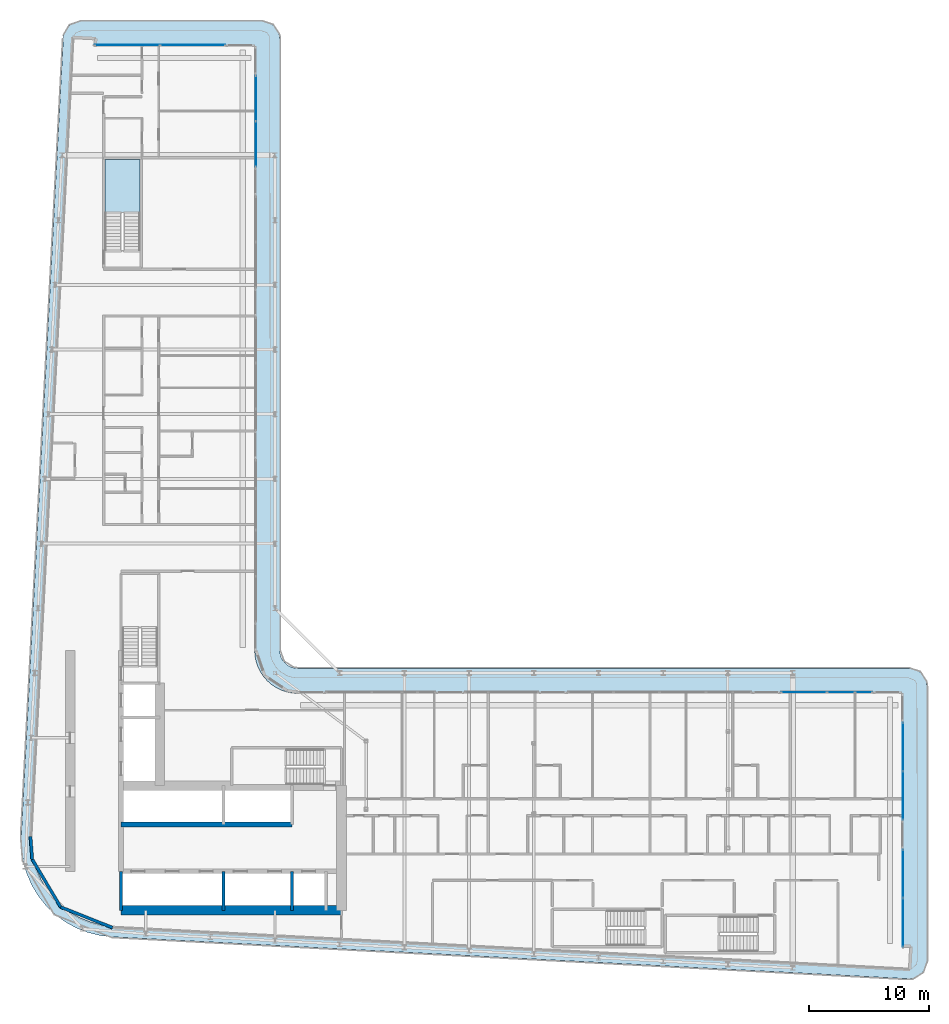
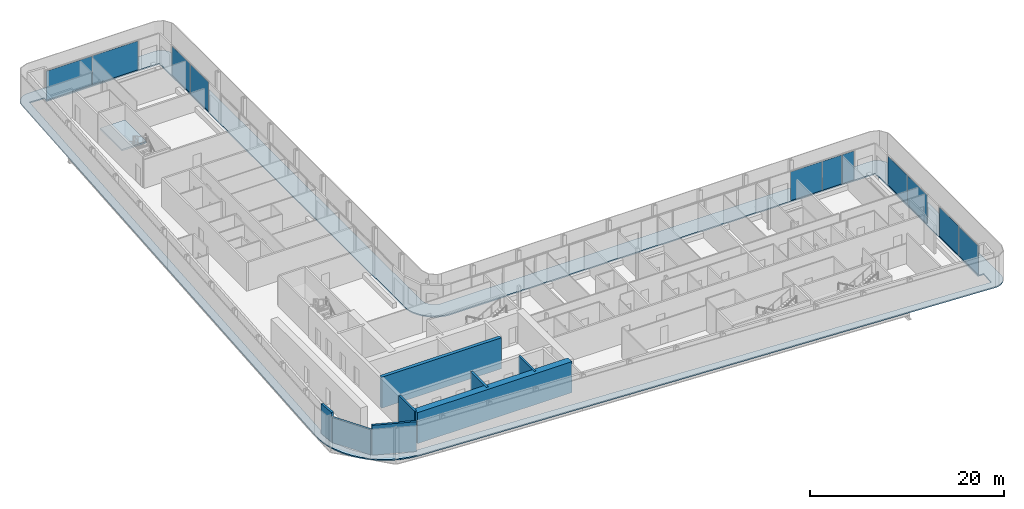
# One storey, part 13 of 29: 11 plates, 8 walls, 2 slabs, 6 elements without a shape of their own.
"""IFC4 building model written with IfcOpenShell, lengths in metres."""

import ifcopenshell
import ifcopenshell.guid

model = None  # the IFC model being written
_history = None  # IfcOwnerHistory: only IFC2X3 demands one
_inside = {}  # id of a spatial element -> (the spatial element, [elements in it])
_under = {}  # id of a project, library or spatial element -> (it, [spatial elements below it])
_declared = {}  # id of a project -> (the project, [libraries it declares])
_typed = {}  # id of a type object -> (the type object, [elements of that type])
_made_of = {}  # id of a material, layer set ... -> (it, [elements and type objects made of it])


def new_model(schema):
    """Start an empty IFC model of exactly this schema.

    Asked for "IFC4X3", IfcOpenShell would pick the latest addendum, in which some entities
    have other attributes; the version numbers below select the first issue.
    IFC2X3 requires an IfcOwnerHistory on every rooted entity: one is made here for all.
    """
    global model, _history
    if schema == "IFC4X3":
        model = ifcopenshell.file(schema_version=(4, 3, 0, 0))
    else:
        model = ifcopenshell.file(schema=schema)
    _inside.clear()
    _under.clear()
    _declared.clear()
    _typed.clear()
    _made_of.clear()
    _history = None
    if model.schema == "IFC2X3":
        org = make("IfcOrganization", Name="unknown")
        user = make(
            "IfcPersonAndOrganization",
            ThePerson=make("IfcPerson", FamilyName="unknown"),
            TheOrganization=org,
        )
        app = make(
            "IfcApplication",
            ApplicationDeveloper=org,
            Version="unknown",
            ApplicationFullName="unknown",
            ApplicationIdentifier="unknown",
        )
        _history = make(
            "IfcOwnerHistory",
            OwningUser=user,
            OwningApplication=app,
            ChangeAction="ADDED",
            CreationDate=0,
        )
    return model


def make(cls, **values):
    """One entity of the class cls with the attributes given. An attribute that is None is left unset."""
    return model.create_entity(
        cls, **{name: value for name, value in values.items() if value is not None}
    )


def rooted(cls, **values):
    """An entity with a GlobalId (a new one), such as an element, a storey or a relation."""
    return make(cls, GlobalId=ifcopenshell.guid.new(), OwnerHistory=_history, **values)


def si_unit(unit_type, name, prefix=None):
    """IfcSIUnit, for example si_unit("LENGTHUNIT", "METRE", prefix="MILLI")."""
    return make("IfcSIUnit", UnitType=unit_type, Prefix=prefix, Name=name)


def assignment(units):
    """IfcUnitAssignment: the units of a project."""
    return None if units is None else make("IfcUnitAssignment", Units=units)


def point(xyz):
    """IfcCartesianPoint."""
    return None if xyz is None else make("IfcCartesianPoint", Coordinates=xyz)


def direction(xyz):
    """IfcDirection."""
    return None if xyz is None else make("IfcDirection", DirectionRatios=xyz)


def frame(location, z_axis=None, x_axis=None):
    """IfcAxis2Placement3D, a coordinate frame: its origin and axes. An axis left out is left unset."""
    return make(
        "IfcAxis2Placement3D",
        Location=point(location),
        Axis=direction(z_axis),
        RefDirection=direction(x_axis),
    )


def frame_2d(location, x_axis=None):
    """IfcAxis2Placement2D, a coordinate frame in the plane: its origin and x axis."""
    return make(
        "IfcAxis2Placement2D", Location=point(location), RefDirection=direction(x_axis)
    )


def origin():
    """The frame at (0, 0, 0) with its axes left unset."""
    return frame((0.0, 0.0, 0.0))


def origin_2d():
    """The frame at (0, 0) in the plane with its x axis left unset."""
    return frame_2d((0.0, 0.0))


def place(relative_to, where):
    """IfcLocalPlacement: puts the frame where relative to a parent placement (None: the world)."""
    return make(
        "IfcLocalPlacement", PlacementRelTo=relative_to, RelativePlacement=where
    )


def context(
    kind, dimensions, precision=None, world=None, true_north=None, identifier=None
):
    """IfcGeometricRepresentationContext, for example the 3D "Model" context."""
    return make(
        "IfcGeometricRepresentationContext",
        ContextIdentifier=identifier,
        ContextType=kind,
        CoordinateSpaceDimension=dimensions,
        Precision=precision,
        WorldCoordinateSystem=world,
        TrueNorth=true_north,
    )


def subcontext(parent, identifier, kind, view, scale=None):
    """IfcGeometricRepresentationSubContext, for example "Body" below "Model"."""
    return make(
        "IfcGeometricRepresentationSubContext",
        ContextIdentifier=identifier,
        ContextType=kind,
        ParentContext=parent,
        TargetScale=scale,
        TargetView=view,
    )


def project(units=None, contexts=None):
    """IfcProject with its units and contexts."""
    return rooted(
        "IfcProject",
        Name="project",
        RepresentationContexts=contexts,
        UnitsInContext=assignment(units),
    )


def spatial(cls, under=None, at=None, **own):
    """A site, building, storey or space (cls), placed at a placement, below another one or the project."""
    s = rooted(cls, ObjectPlacement=at, **own)
    if under is not None:
        _under.setdefault(under.id(), (under, []))[1].append(s)
    return s


def polyline(points):
    """IfcPolyline through the points."""
    return make("IfcPolyline", Points=[point(p) for p in points])


def profile(cls, at=None, kind="AREA", **sizes):
    """A parametric profile (cls). Its sizes go by their IFC names, for example OverallWidth=200.0."""
    return make(cls, ProfileType=kind, Position=at, **sizes)


def rectangle(**sizes):
    """IfcRectangleProfileDef."""
    return profile("IfcRectangleProfileDef", **sizes)


def outline(outer, holes=None, kind="AREA"):
    """IfcArbitraryClosedProfileDef: a profile drawn as a closed curve; with holes, ...WithVoids."""
    if holes is None:
        return make("IfcArbitraryClosedProfileDef", ProfileType=kind, OuterCurve=outer)
    return make(
        "IfcArbitraryProfileDefWithVoids",
        ProfileType=kind,
        OuterCurve=outer,
        InnerCurves=holes,
    )


def extrude(swept, where, along, depth):
    """IfcExtrudedAreaSolid: the profile swept, set in the frame where, extruded along a direction by depth."""
    return make(
        "IfcExtrudedAreaSolid",
        SweptArea=swept,
        Position=where,
        ExtrudedDirection=direction(along),
        Depth=depth,
    )


def shape(context_of_items, identifier, shape_type, items):
    """IfcShapeRepresentation: the items that make up one representation, for example the "Body"."""
    return make(
        "IfcShapeRepresentation",
        ContextOfItems=context_of_items,
        RepresentationIdentifier=identifier,
        RepresentationType=shape_type,
        Items=items,
    )


def material(Name=None, Category=None):
    """IfcMaterial."""
    return make("IfcMaterial", Name=Name, Category=Category)


def layer(
    of_material, thickness, ventilated=None, Name=None, Category=None, Priority=None
):
    """IfcMaterialLayer: one layer of a wall or slab, of a material (None: an air gap)."""
    return make(
        "IfcMaterialLayer",
        Material=of_material,
        LayerThickness=thickness,
        IsVentilated=ventilated,
        Name=Name,
        Category=Category,
        Priority=Priority,
    )


def layer_set(layers, Name=None):
    """IfcMaterialLayerSet."""
    return make("IfcMaterialLayerSet", MaterialLayers=layers, LayerSetName=Name)


def made_of(thing, what):
    """Note that an element or type object is made of a material, layer set ...; save() writes the relation."""
    if what is not None:
        _made_of.setdefault(what.id(), (what, []))[1].append(thing)
    return thing


def type_object(cls, material=None, **own):
    """A type object (cls), such as IfcWallType, which elements share."""
    return made_of(rooted(cls, **own), material)


def element(
    cls,
    number,
    at=None,
    inside=None,
    cuts=None,
    type_object=None,
    material=None,
    context=None,
    identifier="Body",
    shape_type=None,
    held_by="IfcProductDefinitionShape",
    body=None,
    shapes=None,
    **own,
):
    """One element of the class cls, such as IfcWall. Its Tag is "e" and its number.

    at: its placement. inside: the storey or other place that contains it. cuts: it is an
    opening in that element (IfcRelVoidsElement). A single representation is given by context,
    identifier, shape_type and body (its items); several are given by shapes. held_by: the class
    of the entity that holds the representations. save() writes the other relations.
    """
    e = rooted(cls, Tag="e%d" % number, ObjectPlacement=at, **own)
    if body is not None:
        shapes = [shape(context, identifier, shape_type, body)]
    if shapes is not None:
        e.Representation = make(held_by, Representations=shapes)
    if inside is not None:
        _inside.setdefault(inside.id(), (inside, []))[1].append(e)
    if cuts is not None:
        rooted(
            "IfcRelVoidsElement", RelatingBuildingElement=cuts, RelatedOpeningElement=e
        )
    if type_object is not None:
        _typed.setdefault(type_object.id(), (type_object, []))[1].append(e)
    return made_of(e, material)


def aggregate(whole, parts):
    """IfcRelAggregates: a whole, such as a stair, and the parts it consists of."""
    return rooted("IfcRelAggregates", RelatingObject=whole, RelatedObjects=parts)


def save(model, path):
    """Write the relations noted so far, then the file.

    IfcRelAggregates (storeys below a building ...), IfcRelContainedInSpatialStructure (elements
    in a storey), IfcRelDefinesByType, IfcRelAssociatesMaterial and IfcRelDeclares: one each for
    every whole, place, type object, material and project.
    """
    for whole, parts in _under.values():
        aggregate(whole, parts)
    for where, things in _inside.values():
        rooted(
            "IfcRelContainedInSpatialStructure",
            RelatedElements=things,
            RelatingStructure=where,
        )
    for kind, things in _typed.values():
        rooted("IfcRelDefinesByType", RelatedObjects=things, RelatingType=kind)
    for what, things in _made_of.values():
        rooted("IfcRelAssociatesMaterial", RelatedObjects=things, RelatingMaterial=what)
    for by, libraries in _declared.values():
        rooted("IfcRelDeclares", RelatingContext=by, RelatedDefinitions=libraries)
    model.write(path)


model = new_model("IFC4")

# Units and contexts
model_context = context("Model", 3, precision=1e-05, world=origin(), true_north=direction((0.0, 1.0)))
body_context = subcontext(model_context, "Body", "Model", "MODEL_VIEW")
ifc_project = project(units=[si_unit("LENGTHUNIT", "METRE"), si_unit("AREAUNIT", "SQUARE_METRE"), si_unit("VOLUMEUNIT", "CUBIC_METRE"), si_unit("PLANEANGLEUNIT", "RADIAN"), si_unit("MASSUNIT", "GRAM", prefix="KILO")], contexts=[model_context])

# Site, building, storey
site_placement = place(None, origin())
site = spatial("IfcSite", under=ifc_project, at=site_placement, CompositionType="ELEMENT")
building_placement = place(site_placement, origin())
building = spatial("IfcBuilding", under=site, at=building_placement, Name="Kheshtan School and Residences Tower", CompositionType="ELEMENT")
storey_placement = place(building_placement, frame((0.0, 0.0, 183.800048828125)))
storey = spatial("IfcBuildingStorey", under=building, at=storey_placement, Name="L43", CompositionType="ELEMENT", Elevation=183.800048828125)

# Curtain wall, plates
ifc_material_1 = material(Name="Clear low-e glass in thermally broken aluminium frame", Category="aluminium")
ifc_layer_1 = layer(ifc_material_1, 0.199951171875)
ifc_layer_set_1 = layer_set([ifc_layer_1], Name="Curtain wall CW-L")
curtain_wall_type = type_object("IfcCurtainWallType", Name="Curtain wall CW-L", PredefinedType="NOTDEFINED", material=ifc_layer_set_1)
curtain_wall_1_placement = place(storey_placement, origin())
curtain_wall_1 = element("IfcCurtainWall", 1, at=curtain_wall_1_placement, inside=storey, type_object=curtain_wall_type, Name="Curtain wall CWL7", PredefinedType="NOTDEFINED")
ifc_layer_2 = layer(ifc_material_1, 0.031982421875)
ifc_layer_set_2 = layer_set([ifc_layer_2], Name="CW-L glass panel")
plate_type = type_object("IfcPlateType", Name="CW-L glass panel", PredefinedType="CURTAIN_PANEL", material=ifc_layer_set_2)
plate_1_placement = place(storey_placement, frame((35.259033203125, 98.0, 0.0), z_axis=(0.0, 0.0, 1.0), x_axis=(1.0, 0.0, 0.0)))
plate_1 = element("IfcPlate", 2, at=plate_1_placement, type_object=plate_type, Name="CWL7 panel 1.1", PredefinedType="CURTAIN_PANEL", context=body_context, shape_type="SweptSolid", body=[
    extrude(rectangle(XDim=5.4140625, YDim=0.031982421875, at=origin_2d()), origin(), (0.0, 0.0, 1.0), 3.6298828125),
])
plate_2_placement = place(storey_placement, frame((40.73291015625, 98.0, 0.0), z_axis=(0.0, 0.0, 1.0), x_axis=(1.0, 0.0, 0.0)))
plate_2 = element("IfcPlate", 3, at=plate_2_placement, type_object=plate_type, Name="CWL7 panel 2.1", PredefinedType="CURTAIN_PANEL", context=body_context, shape_type="SweptSolid", body=[
    extrude(rectangle(XDim=5.4140625, YDim=0.031982421875, at=origin_2d()), origin(), (0.0, 0.0, 1.0), 3.6298828125),
])
aggregate(curtain_wall_1, [plate_1, plate_2])

curtain_wall_2_placement = place(storey_placement, origin())
curtain_wall_2 = element("IfcCurtainWall", 4, at=curtain_wall_2_placement, inside=storey, type_object=curtain_wall_type, Name="Curtain wall CWL8", PredefinedType="NOTDEFINED")
plate_3_placement = place(storey_placement, frame((46.0, 93.5615234375, 0.0), z_axis=(0.0, 0.0, 1.0), x_axis=(0.0, -1.0, 0.0)))
plate_3 = element("IfcPlate", 5, at=plate_3_placement, type_object=plate_type, Name="CWL8 panel 1.1", PredefinedType="CURTAIN_PANEL", context=body_context, shape_type="SweptSolid", body=[
    extrude(rectangle(XDim=3.757080078125, YDim=0.031982421875, at=origin_2d()), origin(), (0.0, 0.0, 1.0), 3.6298828125),
])
plate_4_placement = place(storey_placement, frame((46.0, 89.744384765625, 0.0), z_axis=(0.0, 0.0, 1.0), x_axis=(0.0, -1.0, 0.0)))
plate_4 = element("IfcPlate", 6, at=plate_4_placement, type_object=plate_type, Name="CWL8 panel 2.1", PredefinedType="CURTAIN_PANEL", context=body_context, shape_type="SweptSolid", body=[
    extrude(rectangle(XDim=3.757080078125, YDim=0.031982421875, at=origin_2d()), origin(), (0.0, 0.0, 1.0), 3.6298828125),
])
aggregate(curtain_wall_2, [plate_3, plate_4])

curtain_wall_3_placement = place(storey_placement, origin())
curtain_wall_3 = element("IfcCurtainWall", 7, at=curtain_wall_3_placement, inside=storey, type_object=curtain_wall_type, Name="Curtain wall CWL12k", PredefinedType="NOTDEFINED")
plate_5_placement = place(storey_placement, frame((91.744384765625, 44.0, 0.0), z_axis=(0.0, 0.0, 1.0), x_axis=(1.0, 0.0, 0.0)))
plate_5 = element("IfcPlate", 8, at=plate_5_placement, type_object=plate_type, Name="CWL12k panel 1.1", PredefinedType="CURTAIN_PANEL", context=body_context, shape_type="SweptSolid", body=[
    extrude(rectangle(XDim=3.757080078125, YDim=0.031982421875, at=origin_2d()), origin(), (0.0, 0.0, 1.0), 3.6298828125),
])
plate_6_placement = place(storey_placement, frame((94.826416015625, 44.0, 0.0), z_axis=(0.0, 0.0, 1.0), x_axis=(1.0, 0.0, 0.0)))
plate_6 = element("IfcPlate", 9, at=plate_6_placement, type_object=plate_type, Name="CWL12k panel 2.1", PredefinedType="CURTAIN_PANEL", context=body_context, shape_type="SweptSolid", body=[
    extrude(rectangle(XDim=2.287109375, YDim=0.031982421875, at=origin_2d()), origin(), (0.0, 0.0, 1.0), 3.6298828125),
])
plate_7_placement = place(storey_placement, frame((96.735107421875, 44.0, 0.0), z_axis=(0.0, 0.0, 1.0), x_axis=(1.0, 0.0, 0.0)))
plate_7 = element("IfcPlate", 10, at=plate_7_placement, type_object=plate_type, Name="CWL12k panel 3.1", PredefinedType="CURTAIN_PANEL", context=body_context, shape_type="SweptSolid", body=[
    extrude(rectangle(XDim=1.409912109375, YDim=0.031982421875, at=origin_2d()), origin(), (0.0, 0.0, 1.0), 3.6298828125),
])
aggregate(curtain_wall_3, [plate_5, plate_6, plate_7])

curtain_wall_4_placement = place(storey_placement, origin())
curtain_wall_4 = element("IfcCurtainWall", 11, at=curtain_wall_4_placement, inside=storey, type_object=curtain_wall_type, Name="Curtain wall CWL13b", PredefinedType="NOTDEFINED")
plate_8_placement = place(storey_placement, frame((100.0, 39.436767578125, 0.0), z_axis=(0.0, 0.0, 1.0), x_axis=(0.0, -1.0, 0.0)))
plate_8 = element("IfcPlate", 12, at=plate_8_placement, type_object=plate_type, Name="CWL13b panel 1.1", PredefinedType="CURTAIN_PANEL", context=body_context, shape_type="SweptSolid", body=[
    extrude(rectangle(XDim=4.006591796875, YDim=0.031982421875, at=origin_2d()), origin(), (0.0, 0.0, 1.0), 3.6298828125),
])
plate_9_placement = place(storey_placement, frame((100.0, 35.370361328125, 0.0), z_axis=(0.0, 0.0, 1.0), x_axis=(0.0, -1.0, 0.0)))
plate_9 = element("IfcPlate", 13, at=plate_9_placement, type_object=plate_type, Name="CWL13b panel 2.1", PredefinedType="CURTAIN_PANEL", context=body_context, shape_type="SweptSolid", body=[
    extrude(rectangle(XDim=4.006591796875, YDim=0.031982421875, at=origin_2d()), origin(), (0.0, 0.0, 1.0), 3.6298828125),
])
aggregate(curtain_wall_4, [plate_8, plate_9])

curtain_wall_5_placement = place(storey_placement, origin())
curtain_wall_5 = element("IfcCurtainWall", 14, at=curtain_wall_5_placement, inside=storey, type_object=curtain_wall_type, Name="Curtain wall CWL13b", PredefinedType="NOTDEFINED")
plate_10_placement = place(storey_placement, frame((100.0, 28.84375, 0.0), z_axis=(0.0, 0.0, 1.0), x_axis=(0.0, -1.0, 0.0)))
plate_10 = element("IfcPlate", 15, at=plate_10_placement, type_object=plate_type, Name="CWL13b panel 1.1", PredefinedType="CURTAIN_PANEL", context=body_context, shape_type="SweptSolid", body=[
    extrude(rectangle(XDim=4.006591796875, YDim=0.031982421875, at=origin_2d()), origin(), (0.0, 0.0, 1.0), 3.6298828125),
])
plate_11_placement = place(storey_placement, frame((100.0, 24.77734375, 0.0), z_axis=(0.0, 0.0, 1.0), x_axis=(0.0, -1.0, 0.0)))
plate_11 = element("IfcPlate", 16, at=plate_11_placement, type_object=plate_type, Name="CWL13b panel 2.1", PredefinedType="CURTAIN_PANEL", context=body_context, shape_type="SweptSolid", body=[
    extrude(rectangle(XDim=4.006591796875, YDim=0.031982421875, at=origin_2d()), origin(), (0.0, 0.0, 1.0), 3.6298828125),
])
aggregate(curtain_wall_5, [plate_10, plate_11])

# Slab
ifc_material_2 = material(Name="Concrete C40/50", Category="concrete")
ifc_layer_3 = layer(ifc_material_2, 0.14990234375)
ifc_layer_set_3 = layer_set([ifc_layer_3], Name="Loggia balcony slab 150 Concrete C40/50")
slab_type_1 = type_object("IfcSlabType", Name="Loggia balcony slab 150 Concrete C40/50", PredefinedType="FLOOR", material=ifc_layer_set_3)
slab_1_placement = place(storey_placement, frame((0.0, 0.0, -0.150146484375)))
element("IfcSlab", 17, at=slab_1_placement, inside=storey, type_object=slab_type_1, Name="Loggia balcony slab L43", PredefinedType="FLOOR", context=body_context, shape_type="SweptSolid", body=[
    extrude(outline(polyline([(28.4580078125, 26.222900390625), (28.45703125, 26.222900390625), (28.45703125, 26.22412109375), (28.4560546875, 26.22412109375), (27.81494140625, 27.0390625), (27.281005859375, 27.93798828125), (26.867919921875, 28.89990234375), (26.583984375, 29.89990234375), (26.583984375, 29.906982421875), (26.43408203125, 30.943115234375), (26.419921875, 31.989013671875), (29.925048828125, 98.5791015625), (29.930908203125, 98.626953125), (29.930908203125, 98.6279296875), (29.929931640625, 98.6279296875), (29.929931640625, 98.62890625), (29.928955078125, 98.62890625), (29.928955078125, 98.6298828125), (29.927978515625, 98.6298828125), (29.927978515625, 98.631103515625), (29.927001953125, 98.631103515625), (29.927001953125, 98.632080078125), (29.927001953125, 98.633056640625), (29.945068359375, 98.781005859375), (29.945068359375, 98.783935546875), (29.945068359375, 98.784912109375), (29.946044921875, 98.784912109375), (29.946044921875, 98.785888671875), (29.947021484375, 98.785888671875), (29.947021484375, 98.787109375), (29.947998046875, 98.787109375), (29.948974609375, 98.787109375), (29.948974609375, 98.7880859375), (29.949951171875, 98.7880859375), (29.949951171875, 98.7890625), (29.949951171875, 98.791015625), (30.0029296875, 98.98388671875), (30.083984375, 99.175048828125), (30.18896484375, 99.35302734375), (30.31103515625, 99.507080078125), (30.31201171875, 99.507080078125), (30.31201171875, 99.508056640625), (30.31298828125, 99.508056640625), (30.31298828125, 99.509033203125), (30.31396484375, 99.509033203125), (30.31396484375, 99.510009765625), (30.31494140625, 99.510009765625), (30.31494140625, 99.510986328125), (30.31591796875, 99.510986328125), (30.31591796875, 99.511962890625), (30.31689453125, 99.511962890625), (30.31689453125, 99.512939453125), (30.318115234375, 99.512939453125), (30.320068359375, 99.512939453125), (30.321044921875, 99.512939453125), (30.321044921875, 99.513916015625), (30.468017578125, 99.656982421875), (30.468994140625, 99.656982421875), (30.468994140625, 99.657958984375), (30.469970703125, 99.657958984375), (30.469970703125, 99.658935546875), (30.470947265625, 99.658935546875), (30.470947265625, 99.659912109375), (30.471923828125, 99.659912109375), (30.471923828125, 99.660888671875), (30.472900390625, 99.660888671875), (30.472900390625, 99.662109375), (30.47412109375, 99.662109375), (30.47412109375, 99.6630859375), (30.47509765625, 99.6630859375), (30.47509765625, 99.6640625), (30.635986328125, 99.777099609375), (30.820068359375, 99.873046875), (31.007080078125, 99.943115234375), (31.013916015625, 99.943115234375), (31.217041015625, 99.986083984375), (31.423095703125, 100.0), (46.5, 100.0), (46.696044921875, 99.987060546875), (46.887939453125, 99.948974609375), (46.89501953125, 99.948974609375), (47.073974609375, 99.885986328125), (47.243896484375, 99.801025390625), (47.2451171875, 99.801025390625), (47.2470703125, 99.801025390625), (47.248046875, 99.801025390625), (47.248046875, 99.802001953125), (47.2490234375, 99.802001953125), (47.2490234375, 99.802978515625), (47.25, 99.802978515625), (47.2529296875, 99.802978515625), (47.25390625, 99.802978515625), (47.25390625, 99.802001953125), (47.2548828125, 99.802001953125), (47.2548828125, 99.801025390625), (47.256103515625, 99.801025390625), (47.256103515625, 99.800048828125), (47.257080078125, 99.800048828125), (47.257080078125, 99.799072265625), (47.258056640625, 99.799072265625), (47.258056640625, 99.798095703125), (47.412109375, 99.696044921875), (47.4130859375, 99.696044921875), (47.4130859375, 99.695068359375), (47.4140625, 99.695068359375), (47.4140625, 99.694091796875), (47.4140625, 99.68994140625), (47.4140625, 99.68896484375), (47.4150390625, 99.68896484375), (47.4150390625, 99.68798828125), (47.416015625, 99.68798828125), (47.416015625, 99.68701171875), (47.4169921875, 99.68701171875), (47.4169921875, 99.68603515625), (47.554931640625, 99.568115234375), (47.554931640625, 99.56689453125), (47.555908203125, 99.56689453125), (47.555908203125, 99.56591796875), (47.556884765625, 99.56591796875), (47.556884765625, 99.56494140625), (47.55810546875, 99.56494140625), (47.55810546875, 99.56396484375), (47.55908203125, 99.56396484375), (47.55908203125, 99.56298828125), (47.56005859375, 99.56298828125), (47.56005859375, 99.56201171875), (47.56103515625, 99.56201171875), (47.56201171875, 99.56103515625), (47.56201171875, 99.56005859375), (47.56298828125, 99.56005859375), (47.56298828125, 99.55908203125), (47.56396484375, 99.55908203125), (47.56396484375, 99.55810546875), (47.56494140625, 99.55810546875), (47.56494140625, 99.556884765625), (47.56591796875, 99.556884765625), (47.56591796875, 99.555908203125), (47.56689453125, 99.555908203125), (47.56689453125, 99.554931640625), (47.568115234375, 99.554931640625), (47.68505859375, 99.41796875), (47.68603515625, 99.41796875), (47.68603515625, 99.4169921875), (47.68701171875, 99.4169921875), (47.68701171875, 99.416015625), (47.68798828125, 99.416015625), (47.68798828125, 99.4150390625), (47.68896484375, 99.4150390625), (47.68896484375, 99.4140625), (47.68994140625, 99.4140625), (47.694091796875, 99.4140625), (47.695068359375, 99.4140625), (47.695068359375, 99.4130859375), (47.696044921875, 99.4130859375), (47.696044921875, 99.412109375), (47.797119140625, 99.259033203125), (47.798095703125, 99.259033203125), (47.798095703125, 99.258056640625), (47.799072265625, 99.258056640625), (47.799072265625, 99.257080078125), (47.800048828125, 99.257080078125), (47.800048828125, 99.256103515625), (47.801025390625, 99.256103515625), (47.801025390625, 99.2548828125), (47.802001953125, 99.2548828125), (47.802001953125, 99.25390625), (47.802978515625, 99.25390625), (47.802978515625, 99.2529296875), (47.802978515625, 99.25), (47.802978515625, 99.2490234375), (47.802001953125, 99.2490234375), (47.802001953125, 99.248046875), (47.801025390625, 99.248046875), (47.801025390625, 99.2470703125), (47.801025390625, 99.243896484375), (47.801025390625, 99.242919921875), (47.885986328125, 99.073974609375), (47.948974609375, 98.89501953125), (47.948974609375, 98.887939453125), (47.987060546875, 98.696044921875), (48.0, 98.5), (48.0, 47.5), (48.012939453125, 47.303955078125), (48.051025390625, 47.113037109375), (48.051025390625, 47.10693359375), (48.051025390625, 47.10595703125), (48.114013671875, 46.926025390625), (48.200927734375, 46.75), (48.31005859375, 46.5869140625), (48.431884765625, 46.444091796875), (48.43310546875, 46.444091796875), (48.43310546875, 46.443115234375), (48.43408203125, 46.443115234375), (48.43408203125, 46.44189453125), (48.43505859375, 46.44189453125), (48.43505859375, 46.44091796875), (48.43603515625, 46.44091796875), (48.43603515625, 46.43994140625), (48.43701171875, 46.43994140625), (48.43701171875, 46.43896484375), (48.43798828125, 46.43896484375), (48.43896484375, 46.43798828125), (48.43896484375, 46.43701171875), (48.43994140625, 46.43701171875), (48.43994140625, 46.43603515625), (48.44091796875, 46.43603515625), (48.44091796875, 46.43505859375), (48.44189453125, 46.43505859375), (48.44189453125, 46.43408203125), (48.443115234375, 46.43408203125), (48.443115234375, 46.43310546875), (48.444091796875, 46.43310546875), (48.444091796875, 46.431884765625), (48.5869140625, 46.31005859375), (48.75, 46.200927734375), (48.926025390625, 46.114013671875), (49.10595703125, 46.051025390625), (49.10693359375, 46.051025390625), (49.113037109375, 46.051025390625), (49.303955078125, 46.012939453125), (49.5, 46.0), (100.5, 46.0), (100.696044921875, 45.987060546875), (100.887939453125, 45.948974609375), (100.89501953125, 45.948974609375), (101.073974609375, 45.885986328125), (101.241943359375, 45.801025390625), (101.242919921875, 45.801025390625), (101.2470703125, 45.801025390625), (101.248046875, 45.801025390625), (101.248046875, 45.802001953125), (101.2490234375, 45.802001953125), (101.2490234375, 45.802978515625), (101.25, 45.802978515625), (101.2529296875, 45.802978515625), (101.25390625, 45.802978515625), (101.25390625, 45.802001953125), (101.2548828125, 45.802001953125), (101.2548828125, 45.801025390625), (101.256103515625, 45.801025390625), (101.256103515625, 45.800048828125), (101.257080078125, 45.800048828125), (101.257080078125, 45.799072265625), (101.258056640625, 45.799072265625), (101.258056640625, 45.798095703125), (101.259033203125, 45.798095703125), (101.259033203125, 45.797119140625), (101.260009765625, 45.797119140625), (101.260009765625, 45.7958984375), (101.412109375, 45.696044921875), (101.4130859375, 45.696044921875), (101.4130859375, 45.695068359375), (101.4140625, 45.695068359375), (101.4140625, 45.694091796875), (101.4140625, 45.68994140625), (101.4140625, 45.68896484375), (101.4150390625, 45.68896484375), (101.4150390625, 45.68798828125), (101.416015625, 45.68798828125), (101.416015625, 45.68701171875), (101.4169921875, 45.68701171875), (101.4169921875, 45.68603515625), (101.41796875, 45.68603515625), (101.41796875, 45.68505859375), (101.4189453125, 45.68505859375), (101.4189453125, 45.68408203125), (101.554931640625, 45.568115234375), (101.554931640625, 45.56689453125), (101.555908203125, 45.56689453125), (101.555908203125, 45.56591796875), (101.556884765625, 45.56591796875), (101.556884765625, 45.56494140625), (101.55810546875, 45.56494140625), (101.55810546875, 45.56396484375), (101.55908203125, 45.56396484375), (101.55908203125, 45.56298828125), (101.56005859375, 45.56298828125), (101.56005859375, 45.56201171875), (101.56103515625, 45.56201171875), (101.56201171875, 45.56103515625), (101.56201171875, 45.56005859375), (101.56298828125, 45.56005859375), (101.56298828125, 45.55908203125), (101.56396484375, 45.55908203125), (101.56396484375, 45.55810546875), (101.56494140625, 45.55810546875), (101.56494140625, 45.556884765625), (101.56591796875, 45.556884765625), (101.56591796875, 45.555908203125), (101.56689453125, 45.555908203125), (101.56689453125, 45.554931640625), (101.568115234375, 45.554931640625), (101.681884765625, 45.4208984375), (101.68310546875, 45.4208984375), (101.68310546875, 45.419921875), (101.68408203125, 45.419921875), (101.68408203125, 45.4189453125), (101.68505859375, 45.4189453125), (101.68505859375, 45.41796875), (101.68603515625, 45.41796875), (101.68603515625, 45.4169921875), (101.68701171875, 45.4169921875), (101.68701171875, 45.416015625), (101.68798828125, 45.416015625), (101.68798828125, 45.4150390625), (101.68896484375, 45.4150390625), (101.68896484375, 45.4140625), (101.68994140625, 45.4140625), (101.694091796875, 45.4140625), (101.695068359375, 45.4140625), (101.695068359375, 45.4130859375), (101.696044921875, 45.4130859375), (101.696044921875, 45.412109375), (101.7939453125, 45.261962890625), (101.794921875, 45.261962890625), (101.794921875, 45.260986328125), (101.7958984375, 45.260986328125), (101.7958984375, 45.260009765625), (101.797119140625, 45.260009765625), (101.797119140625, 45.259033203125), (101.798095703125, 45.259033203125), (101.798095703125, 45.258056640625), (101.799072265625, 45.258056640625), (101.799072265625, 45.257080078125), (101.800048828125, 45.257080078125), (101.800048828125, 45.256103515625), (101.801025390625, 45.256103515625), (101.801025390625, 45.2548828125), (101.802001953125, 45.2548828125), (101.802001953125, 45.25390625), (101.802978515625, 45.25390625), (101.802978515625, 45.2529296875), (101.802978515625, 45.25), (101.802978515625, 45.2490234375), (101.802001953125, 45.2490234375), (101.802001953125, 45.248046875), (101.801025390625, 45.248046875), (101.801025390625, 45.2470703125), (101.801025390625, 45.240966796875), (101.801025390625, 45.239990234375), (101.885986328125, 45.073974609375), (101.948974609375, 44.89501953125), (101.948974609375, 44.887939453125), (101.987060546875, 44.696044921875), (102.0, 44.5), (102.0, 21.5810546875), (101.986083984375, 21.37890625), (101.945068359375, 21.179931640625), (101.945068359375, 21.173095703125), (101.8779296875, 20.989013671875), (101.785888671875, 20.80810546875), (101.6708984375, 20.64306640625), (101.6708984375, 20.64208984375), (101.6708984375, 20.64111328125), (101.6708984375, 20.639892578125), (101.672119140625, 20.639892578125), (101.672119140625, 20.638916015625), (101.672119140625, 20.636962890625), (101.672119140625, 20.635986328125), (101.6708984375, 20.635986328125), (101.6708984375, 20.635009765625), (101.5380859375, 20.491943359375), (101.534912109375, 20.489013671875), (101.533935546875, 20.489013671875), (101.533935546875, 20.488037109375), (101.532958984375, 20.488037109375), (101.531005859375, 20.488037109375), (101.530029296875, 20.488037109375), (101.530029296875, 20.489013671875), (101.529052734375, 20.489013671875), (101.528076171875, 20.489013671875), (101.527099609375, 20.489013671875), (101.3759765625, 20.364013671875), (101.2041015625, 20.256103515625), (101.01904296875, 20.174072265625), (100.8310546875, 20.116943359375), (100.823974609375, 20.116943359375), (100.6240234375, 20.0859375), (100.4208984375, 20.0830078125), (33.989013671875, 23.580078125), (33.94189453125, 23.5859375), (33.94091796875, 23.5859375), (33.93994140625, 23.5859375), (33.93994140625, 23.5849609375), (33.93896484375, 23.5849609375), (33.93896484375, 23.583984375), (33.93798828125, 23.583984375), (33.93798828125, 23.5830078125), (33.93701171875, 23.5830078125), (33.93701171875, 23.58203125), (33.93603515625, 23.58203125), (33.93505859375, 23.58203125), (32.952880859375, 23.697998046875), (32.949951171875, 23.697998046875), (32.948974609375, 23.697998046875), (32.948974609375, 23.698974609375), (32.947998046875, 23.698974609375), (32.947998046875, 23.699951171875), (32.947021484375, 23.699951171875), (32.947021484375, 23.700927734375), (32.947021484375, 23.702880859375), (32.947021484375, 23.7041015625), (32.946044921875, 23.7041015625), (32.946044921875, 23.705078125), (32.945068359375, 23.705078125), (32.944091796875, 23.705078125), (31.93603515625, 23.9609375), (31.928955078125, 23.9609375), (30.964111328125, 24.34912109375), (30.051025390625, 24.860107421875), (29.218994140625, 25.47900390625), (29.218994140625, 25.47998046875), (29.218017578125, 25.47998046875), (29.218017578125, 25.48095703125), (29.217041015625, 25.48095703125), (29.217041015625, 25.48193359375), (29.216064453125, 25.48193359375), (29.216064453125, 25.48291015625), (29.215087890625, 25.48291015625), (29.215087890625, 25.48388671875), (29.214111328125, 25.48388671875), (29.214111328125, 25.485107421875), (29.212890625, 25.485107421875), (29.212890625, 25.486083984375), (29.2119140625, 25.486083984375), (28.466064453125, 26.217041015625), (28.466064453125, 26.218017578125), (28.465087890625, 26.218017578125), (28.462890625, 26.218017578125), (28.4619140625, 26.218017578125), (28.4619140625, 26.218994140625), (28.4609375, 26.218994140625), (28.4609375, 26.219970703125), (28.4599609375, 26.219970703125), (28.4599609375, 26.220947265625), (28.458984375, 26.220947265625), (28.458984375, 26.221923828125), (28.4580078125, 26.221923828125), (28.4580078125, 26.222900390625)]), holes=[polyline([(29.12890625, 26.824951171875), (29.12890625, 26.823974609375), (29.1298828125, 26.823974609375), (29.1298828125, 26.822998046875), (29.131103515625, 26.822998046875), (29.131103515625, 26.822021484375), (29.132080078125, 26.822021484375), (29.132080078125, 26.821044921875), (29.133056640625, 26.821044921875), (29.133056640625, 26.820068359375), (29.134033203125, 26.820068359375), (29.7958984375, 26.173095703125), (29.7958984375, 26.172119140625), (29.797119140625, 26.172119140625), (29.798095703125, 26.172119140625), (29.799072265625, 26.172119140625), (29.799072265625, 26.1708984375), (29.800048828125, 26.1708984375), (29.800048828125, 26.169921875), (29.801025390625, 26.169921875), (29.801025390625, 26.1689453125), (29.802001953125, 26.1689453125), (29.802001953125, 26.16796875), (29.802978515625, 26.16796875), (29.802978515625, 26.1669921875), (29.803955078125, 26.1669921875), (29.803955078125, 26.166015625), (30.541015625, 25.616943359375), (31.35205078125, 25.1630859375), (32.208984375, 24.819091796875), (32.2099609375, 24.819091796875), (32.216064453125, 24.819091796875), (33.114990234375, 24.590087890625), (34.06591796875, 24.47705078125), (100.43798828125, 20.98291015625), (100.465087890625, 20.98388671875), (100.466064453125, 20.98388671875), (100.467041015625, 20.98388671875), (100.467041015625, 20.985107421875), (100.468017578125, 20.985107421875), (100.468017578125, 20.986083984375), (100.468017578125, 20.987060546875), (100.55810546875, 22.676025390625), (100.55810546875, 22.677001953125), (100.55810546875, 22.677978515625), (100.556884765625, 22.677978515625), (100.556884765625, 22.678955078125), (100.555908203125, 22.678955078125), (100.554931640625, 22.678955078125), (99.90087890625, 22.714111328125), (99.89990234375, 22.714111328125), (99.89990234375, 22.715087890625), (99.89990234375, 43.89794921875), (99.89990234375, 43.89892578125), (99.89892578125, 43.89892578125), (99.89892578125, 43.89990234375), (99.89794921875, 43.89990234375), (49.429931640625, 43.89990234375), (49.030029296875, 43.927001953125), (48.569091796875, 44.01806640625), (48.56201171875, 44.01806640625), (48.1201171875, 44.169921875), (47.697021484375, 44.37890625), (47.30810546875, 44.638916015625), (46.95703125, 44.944091796875), (46.95703125, 44.945068359375), (46.9560546875, 44.945068359375), (46.9560546875, 44.946044921875), (46.955078125, 44.946044921875), (46.955078125, 44.947021484375), (46.9541015625, 44.947021484375), (46.9541015625, 44.947998046875), (46.952880859375, 44.947998046875), (46.952880859375, 44.948974609375), (46.951904296875, 44.948974609375), (46.951904296875, 44.949951171875), (46.951904296875, 44.950927734375), (46.950927734375, 44.950927734375), (46.950927734375, 44.951904296875), (46.949951171875, 44.951904296875), (46.948974609375, 44.951904296875), (46.948974609375, 44.952880859375), (46.947998046875, 44.952880859375), (46.947998046875, 44.9541015625), (46.947021484375, 44.9541015625), (46.947021484375, 44.955078125), (46.946044921875, 44.955078125), (46.946044921875, 44.9560546875), (46.945068359375, 44.9560546875), (46.945068359375, 44.95703125), (46.944091796875, 44.95703125), (46.638916015625, 45.30810546875), (46.37890625, 45.697021484375), (46.169921875, 46.1201171875), (46.01806640625, 46.56201171875), (46.01806640625, 46.569091796875), (45.927001953125, 47.030029296875), (45.89990234375, 47.429931640625), (45.89990234375, 97.89794921875), (45.89990234375, 97.89892578125), (45.89892578125, 97.89892578125), (45.89892578125, 97.89990234375), (45.89794921875, 97.89990234375), (32.492919921875, 97.89990234375), (32.491943359375, 97.89990234375), (32.52099609375, 98.43896484375), (32.52099609375, 98.43994140625), (32.52099609375, 98.44091796875), (32.52001953125, 98.44091796875), (32.52001953125, 98.44189453125), (32.51904296875, 98.44189453125), (32.51806640625, 98.44189453125), (30.8291015625, 98.531982421875), (30.827880859375, 98.531982421875), (30.826904296875, 98.531982421875), (30.826904296875, 98.531005859375), (30.825927734375, 98.531005859375), (30.825927734375, 98.530029296875), (30.825927734375, 98.529052734375), (30.822021484375, 98.5009765625), (27.320068359375, 31.970947265625), (27.3330078125, 31.013916015625), (27.466064453125, 30.093994140625), (27.466064453125, 30.087890625), (27.466064453125, 30.0869140625), (27.718017578125, 29.200927734375), (28.0849609375, 28.345947265625), (28.55908203125, 27.550048828125), (29.126953125, 26.825927734375), (29.1279296875, 26.825927734375), (29.1279296875, 26.824951171875), (29.12890625, 26.824951171875)])]), origin(), (0.0, 0.0, 1.0), 0.150146484375),
])

# Stair, slab
stair_type = type_object("IfcStairType", Name="Exit stair, half-turn", PredefinedType="HALF_TURN_STAIR", material=ifc_material_2)
stair_placement = place(storey_placement, origin())
stair = element("IfcStair", 18, at=stair_placement, inside=storey, type_object=stair_type, Name="L43 Protected Exit Stair ST3", PredefinedType="HALF_TURN_STAIR")
ifc_layer_4 = layer(ifc_material_2, 0.199951171875)
ifc_layer_set_4 = layer_set([ifc_layer_4], Name="Stair landing 200 Concrete C40/50")
slab_type_2 = type_object("IfcSlabType", Name="Stair landing 200 Concrete C40/50", PredefinedType="LANDING", material=ifc_layer_set_4)
slab_2_placement = place(storey_placement, frame((0.0, 0.0, 1.75)))
slab_2 = element("IfcSlab", 19, at=slab_2_placement, type_object=slab_type_2, Name="ST3 landing 1", PredefinedType="LANDING", context=body_context, shape_type="SweptSolid", body=[
    extrude(outline(polyline([(36.35009765625, 83.97998046875), (36.35009765625, 88.4599609375), (33.39990234375, 88.4599609375), (33.39990234375, 83.97998046875), (36.35009765625, 83.97998046875)])), origin(), (0.0, 0.0, 1.0), 0.199951171875),
])
aggregate(stair, [slab_2])

# Walls
ifc_material_3 = material(Name="Concrete C50/60", Category="concrete")
ifc_layer_5 = layer(ifc_material_3, 0.39990234375)
ifc_layer_set_5 = layer_set([ifc_layer_5], Name="Core wall 400 Concrete C50/60")
wall_type_1 = type_object("IfcWallType", Name="Core wall 400 Concrete C50/60", PredefinedType="SHEAR", material=ifc_layer_set_5)
wall_1_placement = place(storey_placement, frame((34.75, 32.949951171875, 0.0), z_axis=(0.0, 0.0, 1.0), x_axis=(1.0, 0.0, 0.0)))
element("IfcWall", 20, at=wall_1_placement, inside=storey, type_object=wall_type_1, Name="Core wall CW-HALL-S2", PredefinedType="SHEAR", context=body_context, shape_type="SweptSolid", body=[
    extrude(rectangle(XDim=14.25, YDim=0.39990234375, at=frame_2d((7.125, 0.0))), origin(), (0.0, 0.0, 1.0), 3.89990234375),
])
ifc_material_4 = material(Name="Concrete C70/85", Category="concrete")
ifc_layer_6 = layer(ifc_material_4, 0.800048828125)
ifc_layer_set_6 = layer_set([ifc_layer_6], Name="Core wall 800 Concrete C70/85")
wall_type_2 = type_object("IfcWallType", Name="Core wall 800 Concrete C70/85", PredefinedType="SHEAR", material=ifc_layer_set_6)
wall_2_placement = place(storey_placement, frame((34.75, 25.800048828125, 0.0), z_axis=(0.0, 0.0, 1.0), x_axis=(1.0, 0.0, 0.0)))
element("IfcWall", 21, at=wall_2_placement, inside=storey, type_object=wall_type_2, Name="Core wall CW-REAR-S", PredefinedType="SHEAR", context=body_context, shape_type="SweptSolid", body=[
    extrude(rectangle(XDim=18.39990234375, YDim=0.800048828125, at=frame_2d((9.199951171875, 0.0))), origin(), (0.0, 0.0, 1.0), 3.89990234375),
])
ifc_material_5 = material(Name="Concrete C40/50 with ceramic cladding and mineral wool insulation", Category="concrete")
ifc_layer_7 = layer(ifc_material_5, 0.25)
ifc_layer_set_7 = layer_set([ifc_layer_7], Name="External wall 250 ceramic clad")
wall_type_3 = type_object("IfcWallType", Name="External wall 250 ceramic clad", PredefinedType="SOLIDWALL", material=ifc_layer_set_7)
wall_3_placement = place(storey_placement, frame((34.0390625, 24.35302734375, 0.0), z_axis=(0.0, 0.0, 1.0), x_axis=(-0.929352825399, 0.369192803184, 0.0)))
element("IfcWall", 22, at=wall_3_placement, inside=storey, type_object=wall_type_3, Name="External wall L43 1", PredefinedType="SOLIDWALL", context=body_context, shape_type="SweptSolid", body=[
    extrude(rectangle(XDim=4.656005859375, YDim=0.25, at=frame_2d((2.328125, 0.0))), origin(), (0.0, 0.0, 1.0), 3.75),
])
wall_4_placement = place(storey_placement, frame((29.7119140625, 26.072021484375, 0.0), z_axis=(0.0, 0.0, 1.0), x_axis=(-0.511028049012, 0.859564036662, 0.0)))
element("IfcWall", 23, at=wall_4_placement, inside=storey, type_object=wall_type_3, Name="External wall L43 2", PredefinedType="SOLIDWALL", context=body_context, shape_type="SweptSolid", body=[
    extrude(rectangle(XDim=4.633544921875, YDim=0.25, at=frame_2d((2.31689453125, 0.0))), origin(), (0.0, 0.0, 1.0), 3.14697265625),
])
wall_5_placement = place(storey_placement, frame((27.343994140625, 30.054931640625, 0.0), z_axis=(0.0, 0.0, 1.0), x_axis=(-0.077571675317, 0.99698677784, 0.0)))
element("IfcWall", 24, at=wall_5_placement, inside=storey, type_object=wall_type_3, Name="External wall L43 3", PredefinedType="SOLIDWALL", context=body_context, shape_type="SweptSolid", body=[
    extrude(rectangle(XDim=1.919921875, YDim=0.25, at=frame_2d((0.9599609375, 0.0))), origin(), (0.0, 0.0, 1.0), 3.75),
])
ifc_material_6 = material(Name="Fire-board shaft wall system")
ifc_layer_8 = layer(ifc_material_6, 0.25)
ifc_layer_set_8 = layer_set([ifc_layer_8], Name="Shaft lining wall 250")
wall_type_4 = type_object("IfcWallType", Name="Shaft lining wall 250", PredefinedType="PARTITIONING", material=ifc_layer_set_8)
for number, where, z_axis, x_axis, name in (
    (25, (34.75, 25.800048828125, 0.0), (0.0, 0.0, 1.0), (0.0, 1.0, 0.0), "Shaft lining wall"),
    (26, (43.300048828125, 25.800048828125, 0.0), (0.0, 0.0, 1.0), (0.0, 1.0, 0.0), "Shaft lining wall"),
    (27, (49.0, 25.800048828125, 0.0), (0.0, 0.0, 1.0), (0.0, 1.0, 0.0), "Shaft lining wall"),
):
    element("IfcWall", number, at=place(storey_placement, frame(where, z_axis=z_axis, x_axis=x_axis)), inside=storey, type_object=wall_type_4, Name=name, PredefinedType="PARTITIONING", context=body_context, shape_type="SweptSolid", body=[
        extrude(rectangle(XDim=3.25, YDim=0.25, at=frame_2d((1.625, 0.0))), origin(), (0.0, 0.0, 1.0), 3.89990234375),
    ])

save(model, "model.ifc")
